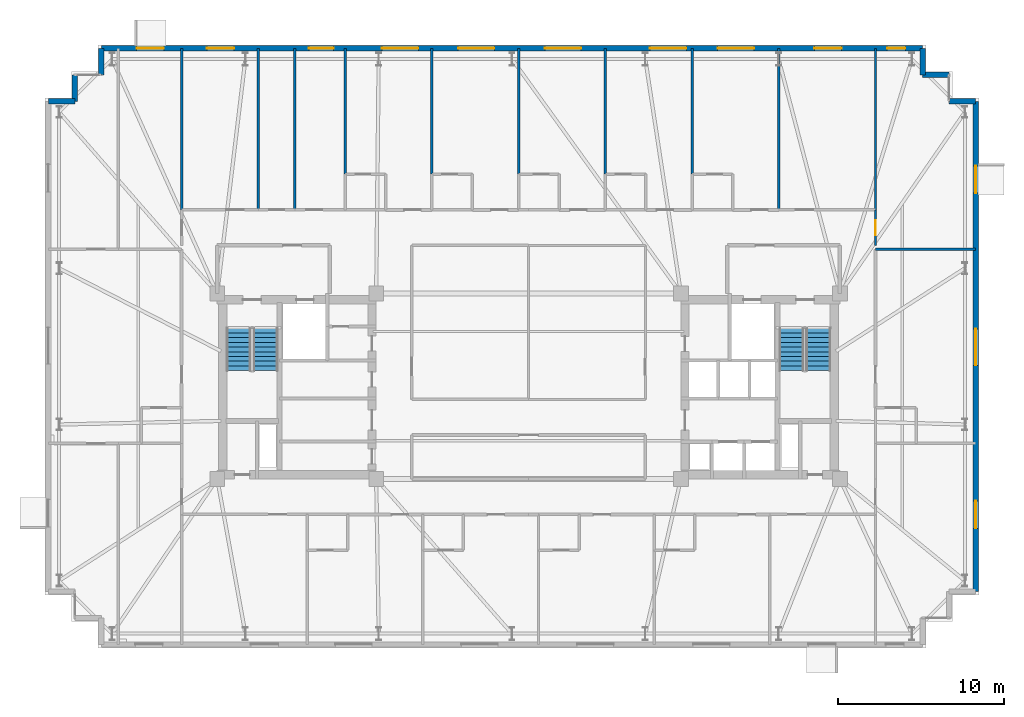
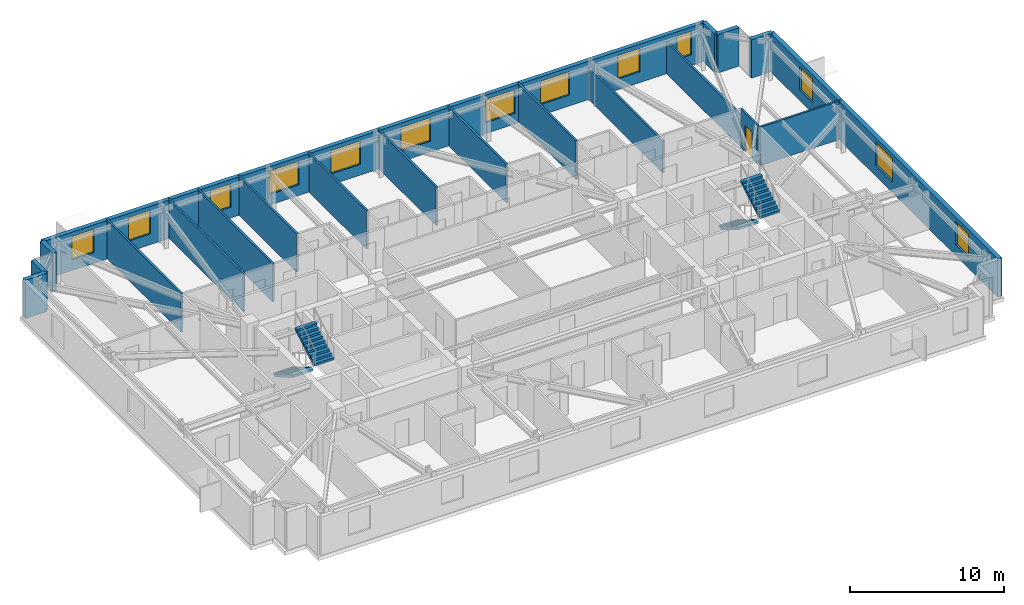
# One storey, part 15 of 17: 20 walls, 13 windows, 4 stair flights, 1 door, 14 openings, 2 elements without a shape of their own.
"""IFC4 building model written with IfcOpenShell, lengths in metres."""

from ifc_helpers import new_model, si_unit, direction, frame, frame_2d, origin, place, context, subcontext, project, spatial, polyline, rectangle, outline, extrude, material, layer, layer_set, type_object, element, fill, aggregate, save


model = new_model("IFC4")

# Units and contexts
model_context = context("Model", 3, precision=1e-05, world=origin(), true_north=direction((0.0, 1.0)))
body_context = subcontext(model_context, "Body", "Model", "MODEL_VIEW")
ifc_project = project(units=[si_unit("LENGTHUNIT", "METRE"), si_unit("AREAUNIT", "SQUARE_METRE"), si_unit("VOLUMEUNIT", "CUBIC_METRE"), si_unit("PLANEANGLEUNIT", "RADIAN"), si_unit("MASSUNIT", "GRAM", prefix="KILO")], contexts=[model_context])

# Site, building, storey
site_placement = place(None, origin())
site = spatial("IfcSite", under=ifc_project, at=site_placement, CompositionType="ELEMENT")
building_placement = place(site_placement, origin())
building = spatial("IfcBuilding", under=site, at=building_placement, Name="Qobustan Lattice House", CompositionType="ELEMENT")
storey_placement = place(building_placement, frame((0.0, 0.0, 144.39990234375)))
storey = spatial("IfcBuildingStorey", under=building, at=storey_placement, Name="L40", CompositionType="ELEMENT", Elevation=144.39990234375)

# Walls
ifc_material_1 = material(Name="Precast concrete C40/50", Category="concrete")
ifc_layer_1 = layer(ifc_material_1, 0.320068359375)
ifc_layer_set_1 = layer_set([ifc_layer_1], Name="Precast concrete C40/50")
wall_type_1 = type_object("IfcWallType", Name="WAL-EXT-STONE-320", PredefinedType="SOLIDWALL", material=ifc_layer_set_1)
for number, where, z_axis, x_axis, name in (
    (1, (-29.0, 17.199951171875, 0.0), (0.0, 0.0, 1.0), (1.0, 0.0, 0.0), "L40 exterior limestone-clad wall 6"),
    (2, (-27.39990234375, 17.199951171875, 0.0), (0.0, 0.0, 1.0), (0.0, 1.0, 0.0), "L40 exterior limestone-clad wall 7"),
):
    element("IfcWall", number, at=place(storey_placement, frame(where, z_axis=z_axis, x_axis=x_axis)), inside=storey, type_object=wall_type_1, Name=name, PredefinedType="SOLIDWALL", context=body_context, shape_type="SweptSolid", body=[
        extrude(rectangle(XDim=1.60009765625, YDim=0.320068359375, at=frame_2d((0.800048828125, 0.0))), origin(), (0.0, 0.0, 1.0), 3.0400390625),
    ])
wall_1_placement = place(storey_placement, frame((-25.800048828125, 18.800048828125, 0.0), z_axis=(0.0, 0.0, 1.0), x_axis=(0.0, 1.0, 0.0)))
element("IfcWall", 3, at=wall_1_placement, inside=storey, type_object=wall_type_1, Name="L40 exterior limestone-clad wall 9", PredefinedType="SOLIDWALL", context=body_context, shape_type="SweptSolid", body=[
    extrude(rectangle(XDim=1.599853515625, YDim=0.320068359375, at=frame_2d((0.7998046875, 0.0))), origin(), (0.0, 0.0, 1.0), 3.0400390625),
])

# Wall, openings, windows
wall_2_placement = place(storey_placement, frame((-25.800048828125, 20.39990234375, 0.0), z_axis=(0.0, 0.0, 1.0), x_axis=(1.0, 0.0, 0.0)))
wall_2 = element("IfcWall", 4, at=wall_2_placement, inside=storey, type_object=wall_type_1, Name="L40 exterior limestone-clad wall 10", PredefinedType="SOLIDWALL", context=body_context, shape_type="SweptSolid", body=[
    extrude(rectangle(XDim=49.60009765625, YDim=0.320068359375, at=frame_2d((24.800048828125, 0.0))), origin(), (0.0, 0.0, 1.0), 3.0400390625),
])
opening_1_placement = place(wall_2_placement, frame((2.135009765625, 0.0, 0.85009765625)))
opening_1 = element("IfcOpeningElement", 5, at=opening_1_placement, cuts=wall_2, Name="Opening WN-09", PredefinedType="OPENING", context=body_context, shape_type="SweptSolid", body=[
    extrude(rectangle(XDim=1.64990234375, YDim=1.85009765625, at=frame_2d((0.824951171875, 0.925048828125))), frame((0.0, 0.169921875, 0.0), z_axis=(0.0, -1.0, 0.0), x_axis=(1.0, 0.0, 0.0)), (0.0, 0.0, 1.0), 0.340087890625),
])
opening_2_placement = place(wall_2_placement, frame((6.375, 0.0, 0.85009765625)))
opening_2 = element("IfcOpeningElement", 6, at=opening_2_placement, cuts=wall_2, Name="Opening WN-09", PredefinedType="OPENING", context=body_context, shape_type="SweptSolid", body=[
    extrude(rectangle(XDim=1.64990234375, YDim=1.85009765625, at=frame_2d((0.824951171875, 0.925048828125))), frame((0.0, 0.169921875, 0.0), z_axis=(0.0, -1.0, 0.0), x_axis=(1.0, 0.0, 0.0)), (0.0, 0.0, 1.0), 0.340087890625),
])
opening_3_placement = place(wall_2_placement, frame((12.530029296875, 0.0, 0.85009765625)))
opening_3 = element("IfcOpeningElement", 7, at=opening_3_placement, cuts=wall_2, Name="Opening WN-01", PredefinedType="OPENING", context=body_context, shape_type="SweptSolid", body=[
    extrude(rectangle(XDim=1.5, YDim=1.85009765625, at=frame_2d((0.75, 0.925048828125))), frame((0.0, 0.169921875, 0.0), z_axis=(0.0, -1.0, 0.0), x_axis=(1.0, 0.0, 0.0)), (0.0, 0.0, 1.0), 0.340087890625),
])
opening_4_placement = place(wall_2_placement, frame((16.93994140625, 0.0, 0.85009765625)))
opening_4 = element("IfcOpeningElement", 8, at=opening_4_placement, cuts=wall_2, Name="Opening WN-03", PredefinedType="OPENING", context=body_context, shape_type="SweptSolid", body=[
    extrude(rectangle(XDim=2.199951171875, YDim=1.85009765625, at=frame_2d((1.10009765625, 0.925048828125))), frame((0.0, 0.169921875, 0.0), z_axis=(0.0, -1.0, 0.0), x_axis=(1.0, 0.0, 0.0)), (0.0, 0.0, 1.0), 0.340087890625),
])
opening_5_placement = place(wall_2_placement, frame((21.5400390625, 0.0, 0.85009765625)))
opening_5 = element("IfcOpeningElement", 9, at=opening_5_placement, cuts=wall_2, Name="Opening WN-03", PredefinedType="OPENING", context=body_context, shape_type="SweptSolid", body=[
    extrude(rectangle(XDim=2.199951171875, YDim=1.85009765625, at=frame_2d((1.10009765625, 0.925048828125))), frame((0.0, 0.169921875, 0.0), z_axis=(0.0, -1.0, 0.0), x_axis=(1.0, 0.0, 0.0)), (0.0, 0.0, 1.0), 0.340087890625),
])
opening_6_placement = place(wall_2_placement, frame((26.780029296875, 0.0, 0.85009765625)))
opening_6 = element("IfcOpeningElement", 10, at=opening_6_placement, cuts=wall_2, Name="Opening WN-03", PredefinedType="OPENING", context=body_context, shape_type="SweptSolid", body=[
    extrude(rectangle(XDim=2.199951171875, YDim=1.85009765625, at=frame_2d((1.10009765625, 0.925048828125))), frame((0.0, 0.169921875, 0.0), z_axis=(0.0, -1.0, 0.0), x_axis=(1.0, 0.0, 0.0)), (0.0, 0.0, 1.0), 0.340087890625),
])
opening_7_placement = place(wall_2_placement, frame((33.132080078125, 0.0, 0.85009765625)))
opening_7 = element("IfcOpeningElement", 11, at=opening_7_placement, cuts=wall_2, Name="Opening WN-03", PredefinedType="OPENING", context=body_context, shape_type="SweptSolid", body=[
    extrude(rectangle(XDim=2.199951171875, YDim=1.85009765625, at=frame_2d((1.10009765625, 0.925048828125))), frame((0.0, 0.169921875, 0.0), z_axis=(0.0, -1.0, 0.0), x_axis=(1.0, 0.0, 0.0)), (0.0, 0.0, 1.0), 0.340087890625),
])
opening_8_placement = place(wall_2_placement, frame((37.219970703125, 0.0, 0.85009765625)))
opening_8 = element("IfcOpeningElement", 12, at=opening_8_placement, cuts=wall_2, Name="Opening WN-03", PredefinedType="OPENING", context=body_context, shape_type="SweptSolid", body=[
    extrude(rectangle(XDim=2.199951171875, YDim=1.85009765625, at=frame_2d((1.10009765625, 0.925048828125))), frame((0.0, 0.169921875, 0.0), z_axis=(0.0, -1.0, 0.0), x_axis=(1.0, 0.0, 0.0)), (0.0, 0.0, 1.0), 0.340087890625),
])
opening_9_placement = place(wall_2_placement, frame((43.054931640625, 0.0, 0.85009765625)))
opening_9 = element("IfcOpeningElement", 13, at=opening_9_placement, cuts=wall_2, Name="Opening WN-09", PredefinedType="OPENING", context=body_context, shape_type="SweptSolid", body=[
    extrude(rectangle(XDim=1.64990234375, YDim=1.85009765625, at=frame_2d((0.824951171875, 0.925048828125))), frame((0.0, 0.169921875, 0.0), z_axis=(0.0, -1.0, 0.0), x_axis=(1.0, 0.0, 0.0)), (0.0, 0.0, 1.0), 0.340087890625),
])
opening_10_placement = place(wall_2_placement, frame((47.449951171875, 0.0, 0.85009765625)))
opening_10 = element("IfcOpeningElement", 14, at=opening_10_placement, cuts=wall_2, Name="Opening WN-04", PredefinedType="OPENING", context=body_context, shape_type="SweptSolid", body=[
    extrude(rectangle(XDim=1.10009765625, YDim=1.85009765625, at=frame_2d((0.550048828125, 0.925048828125))), frame((0.0, 0.169921875, 0.0), z_axis=(0.0, -1.0, 0.0), x_axis=(1.0, 0.0, 0.0)), (0.0, 0.0, 1.0), 0.340087890625),
])
ifc_material_2 = material(Name="Double-glazed low-E aluminium window", Category="aluminium")
window_type_1 = type_object("IfcWindowType", Name="WIN-BED-1500x1850", PartitioningType="SINGLE_PANEL", PredefinedType="WINDOW", material=ifc_material_2)
window_1_placement = place(opening_3_placement, origin())
window_1 = element("IfcWindow", 15, at=window_1_placement, inside=storey, type_object=window_type_1, Name="L40 Laundry utility room window", OverallHeight=1.85009765625, OverallWidth=1.5, PartitioningType="SINGLE_PANEL", PredefinedType="WINDOW", context=body_context, shape_type="SweptSolid", body=[
    extrude(rectangle(XDim=1.5, YDim=1.85009765625, at=frame_2d((0.75, 0.925048828125))), frame((0.0, 0.030029296875, 0.0), z_axis=(0.0, -1.0, 0.0), x_axis=(1.0, 0.0, 0.0)), (0.0, 0.0, 1.0), 0.06005859375),
])
fill(opening_3, window_1)
ifc_material_3 = material(Name="Double-glazed low-E aluminium window", Category="aluminium")
window_type_2 = type_object("IfcWindowType", Name="WIN-NAR-1100x1850", PartitioningType="SINGLE_PANEL", PredefinedType="WINDOW", material=ifc_material_3)
window_2_placement = place(opening_10_placement, origin())
window_2 = element("IfcWindow", 16, at=window_2_placement, inside=storey, type_object=window_type_2, Name="L40 Focus study room E3 window", OverallHeight=1.85009765625, OverallWidth=1.10009765625, PartitioningType="SINGLE_PANEL", PredefinedType="WINDOW", context=body_context, shape_type="SweptSolid", body=[
    extrude(rectangle(XDim=1.10009765625, YDim=1.85009765625, at=frame_2d((0.550048828125, 0.925048828125))), frame((0.0, 0.030029296875, 0.0), z_axis=(0.0, -1.0, 0.0), x_axis=(1.0, 0.0, 0.0)), (0.0, 0.0, 1.0), 0.06005859375),
])
fill(opening_10, window_2)
ifc_material_4 = material(Name="Double-glazed low-E aluminium window", Category="aluminium")
window_type_3 = type_object("IfcWindowType", Name="WIN-STU-1650x1850", PartitioningType="SINGLE_PANEL", PredefinedType="WINDOW", material=ifc_material_4)
window_3_placement = place(opening_1_placement, origin())
window_3 = element("IfcWindow", 17, at=window_3_placement, inside=storey, type_object=window_type_3, Name="L40 Focus study room W3B window", OverallHeight=1.85009765625, OverallWidth=1.64990234375, PartitioningType="SINGLE_PANEL", PredefinedType="WINDOW", context=body_context, shape_type="SweptSolid", body=[
    extrude(rectangle(XDim=1.64990234375, YDim=1.85009765625, at=frame_2d((0.824951171875, 0.925048828125))), frame((0.0, 0.030029296875, 0.0), z_axis=(0.0, -1.0, 0.0), x_axis=(1.0, 0.0, 0.0)), (0.0, 0.0, 1.0), 0.06005859375),
])
fill(opening_1, window_3)
window_4_placement = place(opening_2_placement, origin())
window_4 = element("IfcWindow", 18, at=window_4_placement, inside=storey, type_object=window_type_3, Name="L40 Focus study room N1 window", OverallHeight=1.85009765625, OverallWidth=1.64990234375, PartitioningType="SINGLE_PANEL", PredefinedType="WINDOW", context=body_context, shape_type="SweptSolid", body=[
    extrude(rectangle(XDim=1.64990234375, YDim=1.85009765625, at=frame_2d((0.824951171875, 0.925048828125))), frame((0.0, 0.030029296875, 0.0), z_axis=(0.0, -1.0, 0.0), x_axis=(1.0, 0.0, 0.0)), (0.0, 0.0, 1.0), 0.06005859375),
])
fill(opening_2, window_4)
window_5_placement = place(opening_9_placement, origin())
window_5 = element("IfcWindow", 19, at=window_5_placement, inside=storey, type_object=window_type_3, Name="L40 Focus study room N8 window", OverallHeight=1.85009765625, OverallWidth=1.64990234375, PartitioningType="SINGLE_PANEL", PredefinedType="WINDOW", context=body_context, shape_type="SweptSolid", body=[
    extrude(rectangle(XDim=1.64990234375, YDim=1.85009765625, at=frame_2d((0.824951171875, 0.925048828125))), frame((0.0, 0.030029296875, 0.0), z_axis=(0.0, -1.0, 0.0), x_axis=(1.0, 0.0, 0.0)), (0.0, 0.0, 1.0), 0.06005859375),
])
fill(opening_9, window_5)
ifc_material_5 = material(Name="Double-glazed low-E aluminium window", Category="aluminium")
window_type_4 = type_object("IfcWindowType", Name="WIN-WIDE-2200x1850", PartitioningType="SINGLE_PANEL", PredefinedType="WINDOW", material=ifc_material_5)
window_6_placement = place(opening_4_placement, origin())
window_6 = element("IfcWindow", 20, at=window_6_placement, inside=storey, type_object=window_type_4, Name="L40 Kitchenette and studio apartment L40-N3 window", OverallHeight=1.85009765625, OverallWidth=2.199951171875, PartitioningType="SINGLE_PANEL", PredefinedType="WINDOW", context=body_context, shape_type="SweptSolid", body=[
    extrude(rectangle(XDim=2.199951171875, YDim=1.85009765625, at=frame_2d((1.10009765625, 0.925048828125))), frame((0.0, 0.030029296875, 0.0), z_axis=(0.0, -1.0, 0.0), x_axis=(1.0, 0.0, 0.0)), (0.0, 0.0, 1.0), 0.06005859375),
])
fill(opening_4, window_6)
window_7_placement = place(opening_5_placement, origin())
window_7 = element("IfcWindow", 21, at=window_7_placement, inside=storey, type_object=window_type_4, Name="L40 Kitchenette and studio apartment L40-N4 window", OverallHeight=1.85009765625, OverallWidth=2.199951171875, PartitioningType="SINGLE_PANEL", PredefinedType="WINDOW", context=body_context, shape_type="SweptSolid", body=[
    extrude(rectangle(XDim=2.199951171875, YDim=1.85009765625, at=frame_2d((1.10009765625, 0.925048828125))), frame((0.0, 0.030029296875, 0.0), z_axis=(0.0, -1.0, 0.0), x_axis=(1.0, 0.0, 0.0)), (0.0, 0.0, 1.0), 0.06005859375),
])
fill(opening_5, window_7)
window_8_placement = place(opening_6_placement, origin())
window_8 = element("IfcWindow", 22, at=window_8_placement, inside=storey, type_object=window_type_4, Name="L40 Kitchenette and studio apartment L40-N5 window", OverallHeight=1.85009765625, OverallWidth=2.199951171875, PartitioningType="SINGLE_PANEL", PredefinedType="WINDOW", context=body_context, shape_type="SweptSolid", body=[
    extrude(rectangle(XDim=2.199951171875, YDim=1.85009765625, at=frame_2d((1.10009765625, 0.925048828125))), frame((0.0, 0.030029296875, 0.0), z_axis=(0.0, -1.0, 0.0), x_axis=(1.0, 0.0, 0.0)), (0.0, 0.0, 1.0), 0.06005859375),
])
fill(opening_6, window_8)
window_9_placement = place(opening_7_placement, origin())
window_9 = element("IfcWindow", 23, at=window_9_placement, inside=storey, type_object=window_type_4, Name="L40 Kitchenette and studio apartment L40-N6 window", OverallHeight=1.85009765625, OverallWidth=2.199951171875, PartitioningType="SINGLE_PANEL", PredefinedType="WINDOW", context=body_context, shape_type="SweptSolid", body=[
    extrude(rectangle(XDim=2.199951171875, YDim=1.85009765625, at=frame_2d((1.10009765625, 0.925048828125))), frame((0.0, 0.030029296875, 0.0), z_axis=(0.0, -1.0, 0.0), x_axis=(1.0, 0.0, 0.0)), (0.0, 0.0, 1.0), 0.06005859375),
])
fill(opening_7, window_9)
window_10_placement = place(opening_8_placement, origin())
window_10 = element("IfcWindow", 24, at=window_10_placement, inside=storey, type_object=window_type_4, Name="L40 Kitchenette and studio apartment L40-N7 window", OverallHeight=1.85009765625, OverallWidth=2.199951171875, PartitioningType="SINGLE_PANEL", PredefinedType="WINDOW", context=body_context, shape_type="SweptSolid", body=[
    extrude(rectangle(XDim=2.199951171875, YDim=1.85009765625, at=frame_2d((1.10009765625, 0.925048828125))), frame((0.0, 0.030029296875, 0.0), z_axis=(0.0, -1.0, 0.0), x_axis=(1.0, 0.0, 0.0)), (0.0, 0.0, 1.0), 0.06005859375),
])
fill(opening_8, window_10)

# Walls
for number, where, z_axis, x_axis, name in (
    (25, (23.800048828125, 20.39990234375, 0.0), (0.0, 0.0, 1.0), (0.0, -1.0, 0.0), "L40 exterior limestone-clad wall 11"),
    (26, (23.800048828125, 18.800048828125, 0.0), (0.0, 0.0, 1.0), (1.0, 0.0, 0.0), "L40 exterior limestone-clad wall 12"),
):
    element("IfcWall", number, at=place(storey_placement, frame(where, z_axis=z_axis, x_axis=x_axis)), inside=storey, type_object=wall_type_1, Name=name, PredefinedType="SOLIDWALL", context=body_context, shape_type="SweptSolid", body=[
        extrude(rectangle(XDim=1.599853515625, YDim=0.320068359375, at=frame_2d((0.7998046875, 0.0))), origin(), (0.0, 0.0, 1.0), 3.0400390625),
    ])
wall_3_placement = place(storey_placement, frame((25.39990234375, 17.199951171875, 0.0), z_axis=(0.0, 0.0, 1.0), x_axis=(1.0, 0.0, 0.0)))
element("IfcWall", 27, at=wall_3_placement, inside=storey, type_object=wall_type_1, Name="L40 exterior limestone-clad wall 14", PredefinedType="SOLIDWALL", context=body_context, shape_type="SweptSolid", body=[
    extrude(rectangle(XDim=1.60009765625, YDim=0.320068359375, at=frame_2d((0.800048828125, 0.0))), origin(), (0.0, 0.0, 1.0), 3.0400390625),
])

# Wall, openings, windows
wall_4_placement = place(storey_placement, frame((27.0, 17.199951171875, 0.0), z_axis=(0.0, 0.0, 1.0), x_axis=(0.0, -1.0, 0.0)))
wall_4 = element("IfcWall", 28, at=wall_4_placement, inside=storey, type_object=wall_type_1, Name="L40 exterior limestone-clad wall 15", PredefinedType="SOLIDWALL", context=body_context, shape_type="SweptSolid", body=[
    extrude(rectangle(XDim=29.599853515625, YDim=0.320068359375, at=frame_2d((14.7998046875, 0.0))), origin(), (0.0, 0.0, 1.0), 3.0400390625),
])
opening_11_placement = place(wall_4_placement, frame((3.89501953125, 0.0, 0.85009765625)))
opening_11 = element("IfcOpeningElement", 29, at=opening_11_placement, cuts=wall_4, Name="Opening WN-09", PredefinedType="OPENING", context=body_context, shape_type="SweptSolid", body=[
    extrude(rectangle(XDim=1.64990234375, YDim=1.85009765625, at=frame_2d((0.824951171875, 0.925048828125))), frame((0.0, 0.169921875, 0.0), z_axis=(0.0, -1.0, 0.0), x_axis=(1.0, 0.0, 0.0)), (0.0, 0.0, 1.0), 0.340087890625),
])
opening_12_placement = place(wall_4_placement, frame((13.739990234375, 0.0, 0.85009765625)))
opening_12 = element("IfcOpeningElement", 30, at=opening_12_placement, cuts=wall_4, Name="Opening WN-03", PredefinedType="OPENING", context=body_context, shape_type="SweptSolid", body=[
    extrude(rectangle(XDim=2.199951171875, YDim=1.85009765625, at=frame_2d((1.10009765625, 0.925048828125))), frame((0.0, 0.169921875, 0.0), z_axis=(0.0, -1.0, 0.0), x_axis=(1.0, 0.0, 0.0)), (0.0, 0.0, 1.0), 0.340087890625),
])
opening_13_placement = place(wall_4_placement, frame((24.135009765625, 0.0, 0.85009765625)))
opening_13 = element("IfcOpeningElement", 31, at=opening_13_placement, cuts=wall_4, Name="Opening WN-09", PredefinedType="OPENING", context=body_context, shape_type="SweptSolid", body=[
    extrude(rectangle(XDim=1.64990234375, YDim=1.85009765625, at=frame_2d((0.824951171875, 0.925048828125))), frame((0.0, 0.169921875, 0.0), z_axis=(0.0, -1.0, 0.0), x_axis=(1.0, 0.0, 0.0)), (0.0, 0.0, 1.0), 0.340087890625),
])
window_11_placement = place(opening_11_placement, origin())
window_11 = element("IfcWindow", 32, at=window_11_placement, inside=storey, type_object=window_type_3, Name="L40 Focus study room E3 window", OverallHeight=1.85009765625, OverallWidth=1.64990234375, PartitioningType="SINGLE_PANEL", PredefinedType="WINDOW", context=body_context, shape_type="SweptSolid", body=[
    extrude(rectangle(XDim=1.64990234375, YDim=1.85009765625, at=frame_2d((0.824951171875, 0.925048828125))), frame((0.0, 0.030029296875, 0.0), z_axis=(0.0, -1.0, 0.0), x_axis=(1.0, 0.0, 0.0)), (0.0, 0.0, 1.0), 0.06005859375),
])
fill(opening_11, window_11)
window_12_placement = place(opening_13_placement, origin())
window_12 = element("IfcWindow", 33, at=window_12_placement, inside=storey, type_object=window_type_3, Name="L40 Focus study room E1 window", OverallHeight=1.85009765625, OverallWidth=1.64990234375, PartitioningType="SINGLE_PANEL", PredefinedType="WINDOW", context=body_context, shape_type="SweptSolid", body=[
    extrude(rectangle(XDim=1.64990234375, YDim=1.85009765625, at=frame_2d((0.824951171875, 0.925048828125))), frame((0.0, 0.030029296875, 0.0), z_axis=(0.0, -1.0, 0.0), x_axis=(1.0, 0.0, 0.0)), (0.0, 0.0, 1.0), 0.06005859375),
])
fill(opening_13, window_12)
window_13_placement = place(opening_12_placement, origin())
window_13 = element("IfcWindow", 34, at=window_13_placement, inside=storey, type_object=window_type_4, Name="L40 Kitchenette and studio apartment L40-E2 window", OverallHeight=1.85009765625, OverallWidth=2.199951171875, PartitioningType="SINGLE_PANEL", PredefinedType="WINDOW", context=body_context, shape_type="SweptSolid", body=[
    extrude(rectangle(XDim=2.199951171875, YDim=1.85009765625, at=frame_2d((1.10009765625, 0.925048828125))), frame((0.0, 0.030029296875, 0.0), z_axis=(0.0, -1.0, 0.0), x_axis=(1.0, 0.0, 0.0)), (0.0, 0.0, 1.0), 0.06005859375),
])
fill(opening_12, window_13)

# Wall, opening, door
ifc_material_6 = material(Name="Acoustic twin-stud gypsum partition", Category="gypsum")
ifc_layer_2 = layer(ifc_material_6, 0.14990234375)
ifc_layer_set_2 = layer_set([ifc_layer_2], Name="Acoustic twin-stud gypsum partition")
wall_type_2 = type_object("IfcWallType", Name="WAL-PART-150", PredefinedType="PARTITIONING", material=ifc_layer_set_2)
wall_5_placement = place(storey_placement, frame((20.949951171875, 10.64990234375, 0.0), z_axis=(0.0, 0.0, 1.0), x_axis=(0.0, -1.0, 0.0)))
wall_5 = element("IfcWall", 35, at=wall_5_placement, inside=storey, type_object=wall_type_2, Name="L40 interior partition 42", PredefinedType="PARTITIONING", context=body_context, shape_type="SweptSolid", body=[
    extrude(rectangle(XDim=2.14990234375, YDim=0.14990234375, at=frame_2d((1.074951171875, 0.0))), origin(), (0.0, 0.0, 1.0), 3.0400390625),
])
opening_14_placement = place(wall_5_placement, frame((0.625, 0.0, 0.0)))
opening_14 = element("IfcOpeningElement", 36, at=opening_14_placement, cuts=wall_5, Name="Opening WD-01", PredefinedType="OPENING", context=body_context, shape_type="SweptSolid", body=[
    extrude(rectangle(XDim=0.89990234375, YDim=2.10009765625, at=frame_2d((0.449951171875, 1.050048828125))), frame((0.0, 0.0849609375, 0.0), z_axis=(0.0, -1.0, 0.0), x_axis=(1.0, 0.0, 0.0)), (0.0, 0.0, 1.0), 0.169921875),
])
ifc_material_7 = material(Name="Persian walnut timber and steel frame door", Category="steel")
door_type = type_object("IfcDoorType", Name="DOR-WET-900x2100", OperationType="NOTDEFINED", PredefinedType="DOOR", material=ifc_material_7)
door_placement = place(opening_14_placement, origin())
door = element("IfcDoor", 37, at=door_placement, inside=storey, type_object=door_type, Name="L40 North-east floor corridor to Focus study room E3 door", OperationType="SINGLE_SWING_RIGHT", OverallHeight=2.10009765625, OverallWidth=0.89990234375, PredefinedType="DOOR", context=body_context, shape_type="SweptSolid", body=[
    extrude(rectangle(XDim=0.89990234375, YDim=2.10009765625, at=frame_2d((0.449951171875, 1.050048828125))), frame((0.0, 0.02490234375, 0.0), z_axis=(0.0, -1.0, 0.0), x_axis=(1.0, 0.0, 0.0)), (0.0, 0.0, 1.0), 0.050048828125),
])
fill(opening_14, door)

# Walls
wall_6_placement = place(storey_placement, frame((-20.949951171875, 20.39990234375, 0.0), z_axis=(0.0, 0.0, 1.0), x_axis=(0.0, -1.0, 0.0)))
element("IfcWall", 38, at=wall_6_placement, inside=storey, type_object=wall_type_2, Name="L40 interior partition 89", PredefinedType="PARTITIONING", context=body_context, shape_type="SweptSolid", body=[
    extrude(rectangle(XDim=9.75, YDim=0.14990234375, at=frame_2d((4.875, 0.0))), origin(), (0.0, 0.0, 1.0), 3.0400390625),
])
wall_7_placement = place(storey_placement, frame((20.949951171875, 8.260009765625, 0.0), z_axis=(0.0, 0.0, 1.0), x_axis=(1.0, 0.0, 0.0)))
element("IfcWall", 39, at=wall_7_placement, inside=storey, type_object=wall_type_2, Name="L40 interior partition 95", PredefinedType="PARTITIONING", context=body_context, shape_type="SweptSolid", body=[
    extrude(rectangle(XDim=6.050048828125, YDim=0.14990234375, at=frame_2d((3.02490234375, 0.0))), origin(), (0.0, 0.0, 1.0), 3.0400390625),
])
wall_8_placement = place(storey_placement, frame((20.949951171875, 10.64990234375, 0.0), z_axis=(0.0, 0.0, 1.0), x_axis=(0.0, 1.0, 0.0)))
element("IfcWall", 40, at=wall_8_placement, inside=storey, type_object=wall_type_2, Name="L40 interior partition 96", PredefinedType="PARTITIONING", context=body_context, shape_type="SweptSolid", body=[
    extrude(rectangle(XDim=9.75, YDim=0.14990234375, at=frame_2d((4.875, 0.0))), origin(), (0.0, 0.0, 1.0), 2.525146484375),
])
for number, where, z_axis, x_axis, name in (
    (41, (-11.074951171875, 20.39990234375, 0.0), (0.0, 0.0, 1.0), (0.0, -1.0, 0.0), "L40 interior partition 99"),
    (42, (-5.837890625, 20.39990234375, 0.0), (0.0, 0.0, 1.0), (0.0, -1.0, 0.0), "L40 interior partition 103"),
    (43, (-0.60009765625, 20.39990234375, 0.0), (0.0, 0.0, 1.0), (0.0, -1.0, 0.0), "L40 interior partition 107"),
    (44, (4.637939453125, 20.39990234375, 0.0), (0.0, 0.0, 1.0), (0.0, -1.0, 0.0), "L40 interior partition 111"),
    (45, (9.875, 20.39990234375, 0.0), (0.0, 0.0, 1.0), (0.0, -1.0, 0.0), "L40 interior partition 115"),
):
    element("IfcWall", number, at=place(storey_placement, frame(where, z_axis=z_axis, x_axis=x_axis)), inside=storey, type_object=wall_type_2, Name=name, PredefinedType="PARTITIONING", context=body_context, shape_type="SweptSolid", body=[
        extrude(rectangle(XDim=7.599853515625, YDim=0.14990234375, at=frame_2d((3.7998046875, 0.0))), origin(), (0.0, 0.0, 1.0), 3.0400390625),
    ])
wall_9_placement = place(storey_placement, frame((15.113037109375, 20.39990234375, 0.0), z_axis=(0.0, 0.0, 1.0), x_axis=(0.0, -1.0, 0.0)))
element("IfcWall", 46, at=wall_9_placement, inside=storey, type_object=wall_type_2, Name="L40 interior partition 119", PredefinedType="PARTITIONING", context=body_context, shape_type="SweptSolid", body=[
    extrude(rectangle(XDim=9.75, YDim=0.14990234375, at=frame_2d((4.875, 0.0))), origin(), (0.0, 0.0, 1.0), 2.525146484375),
])
ifc_material_8 = material(Name="Moisture-resistant acoustic plumbing wall", Category="gypsum")
ifc_layer_3 = layer(ifc_material_8, 0.14990234375)
ifc_layer_set_3 = layer_set([ifc_layer_3], Name="Moisture-resistant acoustic plumbing wall")
wall_type_3 = type_object("IfcWallType", Name="WAL-WET-150", PredefinedType="PLUMBINGWALL", material=ifc_layer_set_3)
for number, where, z_axis, x_axis, name in (
    (47, (-16.31201171875, 20.39990234375, 0.0), (0.0, 0.0, 1.0), (0.0, -1.0, 0.0), "L40 interior partition 97"),
    (48, (-14.112060546875, 20.39990234375, 0.0), (0.0, 0.0, 1.0), (0.0, -1.0, 0.0), "L40 interior partition 98"),
):
    element("IfcWall", number, at=place(storey_placement, frame(where, z_axis=z_axis, x_axis=x_axis)), inside=storey, type_object=wall_type_3, Name=name, PredefinedType="PLUMBINGWALL", context=body_context, shape_type="SweptSolid", body=[
        extrude(rectangle(XDim=9.75, YDim=0.14990234375, at=frame_2d((4.875, 0.0))), origin(), (0.0, 0.0, 1.0), 3.0400390625),
    ])

# Stair, stair flights
ifc_material_9 = material(Name="Concrete C40/50", Category="concrete")
stair_type = type_object("IfcStairType", Name="STR-CORE-DOGLEG", PredefinedType="HALF_TURN_STAIR", material=ifc_material_9)
stair_1_placement = place(storey_placement, origin())
stair_1 = element("IfcStair", 49, at=stair_1_placement, inside=storey, type_object=stair_type, Name="L40 West protected exit stair ST-W1", PredefinedType="HALF_TURN_STAIR")
ifc_material_10 = material(Name="Concrete C40/50", Category="concrete")
stair_flight_type = type_object("IfcStairFlightType", Name="SFL-RC-1500", PredefinedType="STRAIGHT", material=ifc_material_10)
stair_flight_1_placement = place(storey_placement, frame((-17.5, 3.5, 0.0), z_axis=(0.0, 0.0, 1.0), x_axis=(0.0, -1.0, 0.0)))
stair_flight_1 = element("IfcStairFlight", 50, at=stair_flight_1_placement, type_object=stair_flight_type, Name="ST-W1 flight 1", NumberOfRisers=10, NumberOfTreads=9, PredefinedType="STRAIGHT", RiserHeight=0.1675, TreadLength=0.285, context=body_context, shape_type="SweptSolid", body=[
    extrude(outline(polyline([(0.0, 0.0), (0.0, 0.16748046875), (0.284912109375, 0.16748046875), (0.284912109375, 0.3349609375), (0.570068359375, 0.3349609375), (0.570068359375, 0.50244140625), (0.85498046875, 0.50244140625), (0.85498046875, 0.669921875), (1.139892578125, 0.669921875), (1.139892578125, 0.83740234375), (1.425048828125, 0.83740234375), (1.425048828125, 1.0048828125), (1.7099609375, 1.0048828125), (1.7099609375, 1.172607421875), (1.9951171875, 1.172607421875), (1.9951171875, 1.340087890625), (2.280029296875, 1.340087890625), (2.280029296875, 1.507568359375), (2.56494140625, 1.507568359375), (2.56494140625, 1.675048828125), (2.56494140625, 1.333740234375), (0.2958984375, 0.0), (0.0, 0.0)])), frame((0.0, 0.75, 0.0), z_axis=(0.0, -1.0, 0.0), x_axis=(1.0, 0.0, 0.0)), (0.0, 0.0, 1.0), 1.5),
])
stair_flight_2_placement = place(storey_placement, frame((-15.8798828125, 0.93505859375, 1.675048828125), z_axis=(0.0, 0.0, 1.0), x_axis=(0.0, 1.0, 0.0)))
stair_flight_2 = element("IfcStairFlight", 51, at=stair_flight_2_placement, type_object=stair_flight_type, Name="ST-W1 flight 2", NumberOfRisers=10, NumberOfTreads=9, PredefinedType="STRAIGHT", RiserHeight=0.1675, TreadLength=0.285, context=body_context, shape_type="SweptSolid", body=[
    extrude(outline(polyline([(0.0, 0.0), (0.0, 0.16748046875), (0.284912109375, 0.16748046875), (0.284912109375, 0.3349609375), (0.570068359375, 0.3349609375), (0.570068359375, 0.50244140625), (0.85498046875, 0.50244140625), (0.85498046875, 0.669921875), (1.139892578125, 0.669921875), (1.139892578125, 0.83740234375), (1.425048828125, 0.83740234375), (1.425048828125, 1.0048828125), (1.7099609375, 1.0048828125), (1.7099609375, 1.172607421875), (1.9951171875, 1.172607421875), (1.9951171875, 1.340087890625), (2.280029296875, 1.340087890625), (2.280029296875, 1.507568359375), (2.56494140625, 1.507568359375), (2.56494140625, 1.675048828125), (2.56494140625, 1.333740234375), (0.2958984375, 0.0), (0.0, 0.0)])), frame((0.0, 0.75, 0.0), z_axis=(0.0, -1.0, 0.0), x_axis=(1.0, 0.0, 0.0)), (0.0, 0.0, 1.0), 1.5),
])
aggregate(stair_1, [stair_flight_1, stair_flight_2])

stair_2_placement = place(storey_placement, origin())
stair_2 = element("IfcStair", 52, at=stair_2_placement, inside=storey, type_object=stair_type, Name="L40 East protected exit stair ST-E1", PredefinedType="HALF_TURN_STAIR")
stair_flight_3_placement = place(storey_placement, frame((15.8798828125, 3.5, 0.0), z_axis=(0.0, 0.0, 1.0), x_axis=(0.0, -1.0, 0.0)))
stair_flight_3 = element("IfcStairFlight", 53, at=stair_flight_3_placement, type_object=stair_flight_type, Name="ST-E1 flight 1", NumberOfRisers=10, NumberOfTreads=9, PredefinedType="STRAIGHT", RiserHeight=0.1675, TreadLength=0.285, context=body_context, shape_type="SweptSolid", body=[
    extrude(outline(polyline([(0.0, 0.0), (0.0, 0.16748046875), (0.284912109375, 0.16748046875), (0.284912109375, 0.3349609375), (0.570068359375, 0.3349609375), (0.570068359375, 0.50244140625), (0.85498046875, 0.50244140625), (0.85498046875, 0.669921875), (1.139892578125, 0.669921875), (1.139892578125, 0.83740234375), (1.425048828125, 0.83740234375), (1.425048828125, 1.0048828125), (1.7099609375, 1.0048828125), (1.7099609375, 1.172607421875), (1.9951171875, 1.172607421875), (1.9951171875, 1.340087890625), (2.280029296875, 1.340087890625), (2.280029296875, 1.507568359375), (2.56494140625, 1.507568359375), (2.56494140625, 1.675048828125), (2.56494140625, 1.333740234375), (0.2958984375, 0.0), (0.0, 0.0)])), frame((0.0, 0.75, 0.0), z_axis=(0.0, -1.0, 0.0), x_axis=(1.0, 0.0, 0.0)), (0.0, 0.0, 1.0), 1.5),
])
stair_flight_4_placement = place(storey_placement, frame((17.5, 0.93505859375, 1.675048828125), z_axis=(0.0, 0.0, 1.0), x_axis=(0.0, 1.0, 0.0)))
stair_flight_4 = element("IfcStairFlight", 54, at=stair_flight_4_placement, type_object=stair_flight_type, Name="ST-E1 flight 2", NumberOfRisers=10, NumberOfTreads=9, PredefinedType="STRAIGHT", RiserHeight=0.1675, TreadLength=0.285, context=body_context, shape_type="SweptSolid", body=[
    extrude(outline(polyline([(0.0, 0.0), (0.0, 0.16748046875), (0.284912109375, 0.16748046875), (0.284912109375, 0.3349609375), (0.570068359375, 0.3349609375), (0.570068359375, 0.50244140625), (0.85498046875, 0.50244140625), (0.85498046875, 0.669921875), (1.139892578125, 0.669921875), (1.139892578125, 0.83740234375), (1.425048828125, 0.83740234375), (1.425048828125, 1.0048828125), (1.7099609375, 1.0048828125), (1.7099609375, 1.172607421875), (1.9951171875, 1.172607421875), (1.9951171875, 1.340087890625), (2.280029296875, 1.340087890625), (2.280029296875, 1.507568359375), (2.56494140625, 1.507568359375), (2.56494140625, 1.675048828125), (2.56494140625, 1.333740234375), (0.2958984375, 0.0), (0.0, 0.0)])), frame((0.0, 0.75, 0.0), z_axis=(0.0, -1.0, 0.0), x_axis=(1.0, 0.0, 0.0)), (0.0, 0.0, 1.0), 1.5),
])
aggregate(stair_2, [stair_flight_3, stair_flight_4])

save(model, "model.ifc")
